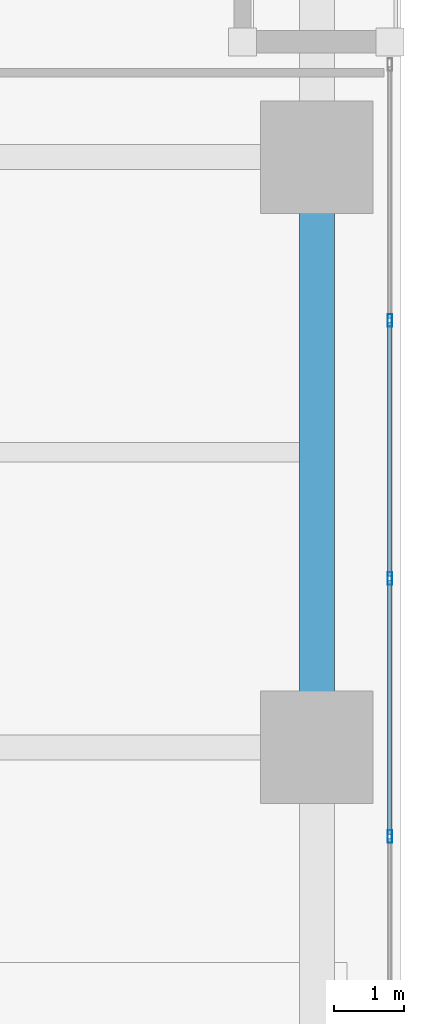
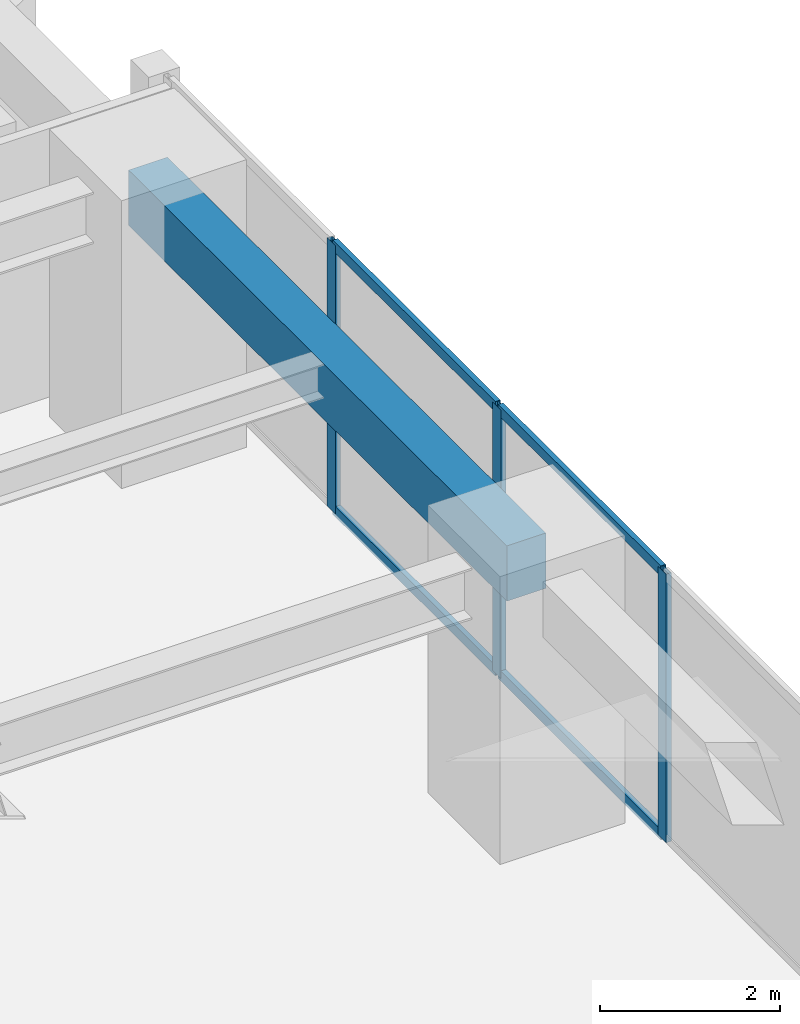
# One storey, part 11 of 26: 7 members, 1 beam, 1 element without a shape of its own.
"""IFC4 building model written with IfcOpenShell, lengths in metres."""

from ifc_helpers import new_model, si_unit, direction, frame, origin, origin_2d, place, context, subcontext, project, spatial, rectangle, hollow_rectangle, extrude, material, layer, layer_set, material_profile, profile_set, type_object, element, aggregate, save


model = new_model("IFC4")

# Units and contexts
model_context = context("Model", 3, precision=1e-05, world=origin(), true_north=direction((0.0, 1.0)))
body_context = subcontext(model_context, "Body", "Model", "MODEL_VIEW")
ifc_project = project(units=[si_unit("LENGTHUNIT", "METRE"), si_unit("AREAUNIT", "SQUARE_METRE"), si_unit("VOLUMEUNIT", "CUBIC_METRE"), si_unit("PLANEANGLEUNIT", "RADIAN"), si_unit("MASSUNIT", "GRAM", prefix="KILO")], contexts=[model_context])

# Site, building, storey
site_placement = place(None, origin())
site = spatial("IfcSite", under=ifc_project, at=site_placement, CompositionType="ELEMENT")
building_placement = place(site_placement, origin())
building = spatial("IfcBuilding", under=site, at=building_placement, Name="Kiyonajd Concourse Tower", CompositionType="ELEMENT")
storey_placement = place(building_placement, frame((0.0, 0.0, 72.89990234375)))
storey = spatial("IfcBuildingStorey", under=building, at=storey_placement, Name="L19", CompositionType="ELEMENT", Elevation=72.89990234375)

# Beam
ifc_material_1 = material(Name="Precast concrete C50/60", Category="concrete")
ifc_material_profile_1 = material_profile(ifc_material_1, rectangle(XDim=0.5, YDim=0.75, at=origin_2d()), Name="RCBM-500x750")
ifc_profile_set_1 = profile_set([ifc_material_profile_1], Name="Precast concrete C50/60")
beam_type = type_object("IfcBeamType", Name="BM-SPAN-RC", PredefinedType="SPANDREL", material=ifc_profile_set_1)
beam_placement = place(storey_placement, frame((78.0, 27.60009765625, 3.26513671875), z_axis=(0.0, 1.0, 0.0), x_axis=(-1.0, 0.0, 0.0)))
element("IfcBeam", 1, at=beam_placement, inside=storey, type_object=beam_type, Name="L19 Perimeter Bundled Tube Spandrel", PredefinedType="SPANDREL", context=body_context, shape_type="SweptSolid", body=[
    extrude(rectangle(XDim=0.5, YDim=0.75, at=origin_2d()), origin(), (0.0, 0.0, 1.0), 8.39990234375),
])

# Curtain wall, members
ifc_material_2 = material(Name="Thermally Broken Anodised Aluminium", Category="aluminium")
ifc_layer = layer(ifc_material_2, 0.179931640625)
ifc_layer_set = layer_set([ifc_layer], Name="Thermally Broken Anodised Aluminium")
curtain_wall_type = type_object("IfcCurtainWallType", Name="CW-SYS-02", PredefinedType="NOTDEFINED", material=ifc_layer_set)
curtain_wall_placement = place(storey_placement, origin())
curtain_wall = element("IfcCurtainWall", 2, at=curtain_wall_placement, inside=storey, type_object=curtain_wall_type, Name="L19 Unitised Curtain Wall CW2", PredefinedType="NOTDEFINED")
ifc_material_profile_2 = material_profile(ifc_material_2, hollow_rectangle(XDim=0.06494140625, YDim=0.179931640625, WallThickness=0.00390625, at=origin_2d()), Name="MULL-65x180")
ifc_profile_set_2 = profile_set([ifc_material_profile_2], Name="Thermally Broken Anodised Aluminium")
member_type_1 = type_object("IfcMemberType", Name="MB-CW-MULL1", PredefinedType="MULLION", material=ifc_profile_set_2)
member_1_placement = place(storey_placement, frame((79.0400390625, 33.6767578125, 0.0), z_axis=(0.0, 0.0, 1.0), x_axis=(1.0, 0.0, 0.0)))
member_1 = element("IfcMember", 3, at=member_1_placement, type_object=member_type_1, Name="CW2 mullion 2", PredefinedType="MULLION", context=body_context, shape_type="SweptSolid", body=[
    extrude(hollow_rectangle(XDim=0.06494140625, YDim=0.179931640625, WallThickness=0.00390625, at=origin_2d()), origin(), (0.0, 0.0, 1.0), 3.64013671875),
])
member_2_placement = place(storey_placement, frame((79.0400390625, 30.003662109375, 0.0), z_axis=(0.0, 0.0, 1.0), x_axis=(1.0, 0.0, 0.0)))
member_2 = element("IfcMember", 4, at=member_2_placement, type_object=member_type_1, Name="CW2 mullion 3", PredefinedType="MULLION", context=body_context, shape_type="SweptSolid", body=[
    extrude(hollow_rectangle(XDim=0.06494140625, YDim=0.179931640625, WallThickness=0.00390625, at=origin_2d()), origin(), (0.0, 0.0, 1.0), 3.64013671875),
])
member_3_placement = place(storey_placement, frame((79.0400390625, 26.33056640625, 0.0), z_axis=(0.0, 0.0, 1.0), x_axis=(1.0, 0.0, 0.0)))
member_3 = element("IfcMember", 5, at=member_3_placement, type_object=member_type_1, Name="CW2 mullion 4", PredefinedType="MULLION", context=body_context, shape_type="SweptSolid", body=[
    extrude(hollow_rectangle(XDim=0.06494140625, YDim=0.179931640625, WallThickness=0.00390625, at=origin_2d()), origin(), (0.0, 0.0, 1.0), 3.64013671875),
])
ifc_material_profile_3 = material_profile(ifc_material_2, hollow_rectangle(XDim=0.06494140625, YDim=0.139892578125, WallThickness=0.00390625, at=origin_2d()), Name="TRAN-65x140")
ifc_profile_set_3 = profile_set([ifc_material_profile_3], Name="Thermally Broken Anodised Aluminium")
member_type_2 = type_object("IfcMemberType", Name="MB-CW-TRAN1", PredefinedType="USERDEFINED", material=ifc_profile_set_3)
member_4_placement = place(storey_placement, frame((79.0400390625, 33.644287109375, 0.03271484375), z_axis=(0.0, -1.0, 0.0), x_axis=(1.0, 0.0, 0.0)))
member_4 = element("IfcMember", 6, at=member_4_placement, type_object=member_type_2, Name="CW2 transom 2.1", ObjectType="TRANSOM", PredefinedType="USERDEFINED", context=body_context, shape_type="SweptSolid", body=[
    extrude(hollow_rectangle(XDim=0.06494140625, YDim=0.139892578125, WallThickness=0.00390625, at=origin_2d()), origin(), (0.0, 0.0, 1.0), 3.608154296875),
])
member_5_placement = place(storey_placement, frame((79.0400390625, 33.644287109375, 3.607666015625), z_axis=(0.0, -1.0, 0.0), x_axis=(1.0, 0.0, 0.0)))
member_5 = element("IfcMember", 7, at=member_5_placement, type_object=member_type_2, Name="CW2 transom 2.2", ObjectType="TRANSOM", PredefinedType="USERDEFINED", context=body_context, shape_type="SweptSolid", body=[
    extrude(hollow_rectangle(XDim=0.06494140625, YDim=0.139892578125, WallThickness=0.00390625, at=origin_2d()), origin(), (0.0, 0.0, 1.0), 3.608154296875),
])
member_6_placement = place(storey_placement, frame((79.0400390625, 29.97119140625, 0.03271484375), z_axis=(0.0, -1.0, 0.0), x_axis=(1.0, 0.0, 0.0)))
member_6 = element("IfcMember", 8, at=member_6_placement, type_object=member_type_2, Name="CW2 transom 3.1", ObjectType="TRANSOM", PredefinedType="USERDEFINED", context=body_context, shape_type="SweptSolid", body=[
    extrude(hollow_rectangle(XDim=0.06494140625, YDim=0.139892578125, WallThickness=0.00390625, at=origin_2d()), origin(), (0.0, 0.0, 1.0), 3.608154296875),
])
member_7_placement = place(storey_placement, frame((79.0400390625, 29.97119140625, 3.607666015625), z_axis=(0.0, -1.0, 0.0), x_axis=(1.0, 0.0, 0.0)))
member_7 = element("IfcMember", 9, at=member_7_placement, type_object=member_type_2, Name="CW2 transom 3.2", ObjectType="TRANSOM", PredefinedType="USERDEFINED", context=body_context, shape_type="SweptSolid", body=[
    extrude(hollow_rectangle(XDim=0.06494140625, YDim=0.139892578125, WallThickness=0.00390625, at=origin_2d()), origin(), (0.0, 0.0, 1.0), 3.608154296875),
])
aggregate(curtain_wall, [member_1, member_2, member_3, member_4, member_5, member_6, member_7])

save(model, "model.ifc")
